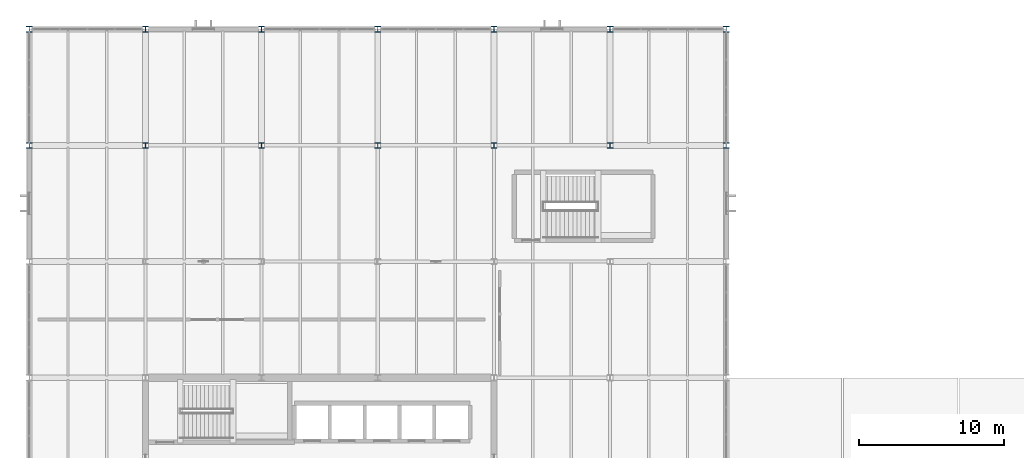
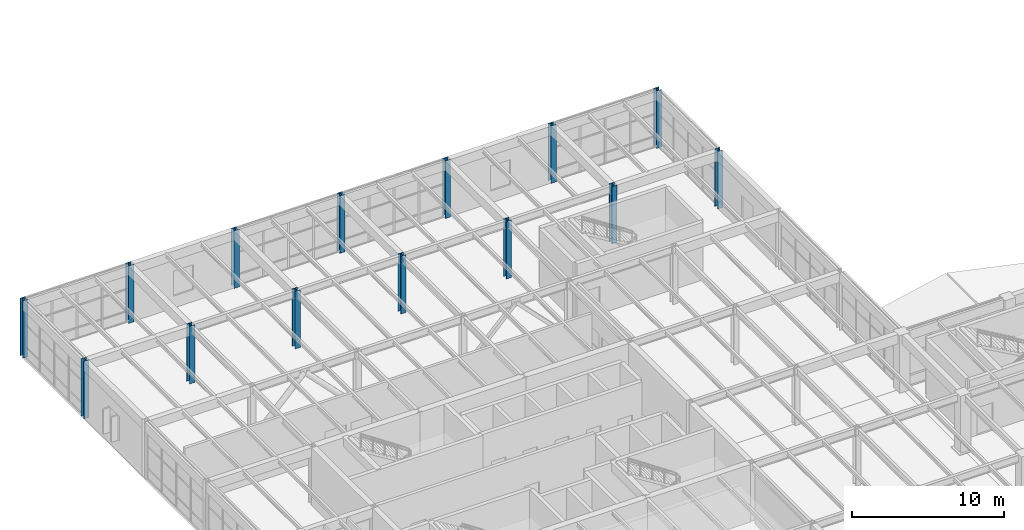
# One storey, part 5 of 60: 14 columns.
"""IFC4 building model written with IfcOpenShell, lengths in metres."""

import ifcopenshell
import ifcopenshell.guid

model = None  # the IFC model being written
_history = None  # IfcOwnerHistory: only IFC2X3 demands one
_inside = {}  # id of a spatial element -> (the spatial element, [elements in it])
_under = {}  # id of a project, library or spatial element -> (it, [spatial elements below it])
_declared = {}  # id of a project -> (the project, [libraries it declares])
_typed = {}  # id of a type object -> (the type object, [elements of that type])
_made_of = {}  # id of a material, layer set ... -> (it, [elements and type objects made of it])


def new_model(schema):
    """Start an empty IFC model of exactly this schema.

    Asked for "IFC4X3", IfcOpenShell would pick the latest addendum, in which some entities
    have other attributes; the version numbers below select the first issue.
    IFC2X3 requires an IfcOwnerHistory on every rooted entity: one is made here for all.
    """
    global model, _history
    if schema == "IFC4X3":
        model = ifcopenshell.file(schema_version=(4, 3, 0, 0))
    else:
        model = ifcopenshell.file(schema=schema)
    _inside.clear()
    _under.clear()
    _declared.clear()
    _typed.clear()
    _made_of.clear()
    _history = None
    if model.schema == "IFC2X3":
        org = make("IfcOrganization", Name="unknown")
        user = make(
            "IfcPersonAndOrganization",
            ThePerson=make("IfcPerson", FamilyName="unknown"),
            TheOrganization=org,
        )
        app = make(
            "IfcApplication",
            ApplicationDeveloper=org,
            Version="unknown",
            ApplicationFullName="unknown",
            ApplicationIdentifier="unknown",
        )
        _history = make(
            "IfcOwnerHistory",
            OwningUser=user,
            OwningApplication=app,
            ChangeAction="ADDED",
            CreationDate=0,
        )
    return model


def make(cls, **values):
    """One entity of the class cls with the attributes given. An attribute that is None is left unset."""
    return model.create_entity(
        cls, **{name: value for name, value in values.items() if value is not None}
    )


def rooted(cls, **values):
    """An entity with a GlobalId (a new one), such as an element, a storey or a relation."""
    return make(cls, GlobalId=ifcopenshell.guid.new(), OwnerHistory=_history, **values)


def si_unit(unit_type, name, prefix=None):
    """IfcSIUnit, for example si_unit("LENGTHUNIT", "METRE", prefix="MILLI")."""
    return make("IfcSIUnit", UnitType=unit_type, Prefix=prefix, Name=name)


def assignment(units):
    """IfcUnitAssignment: the units of a project."""
    return None if units is None else make("IfcUnitAssignment", Units=units)


def point(xyz):
    """IfcCartesianPoint."""
    return None if xyz is None else make("IfcCartesianPoint", Coordinates=xyz)


def direction(xyz):
    """IfcDirection."""
    return None if xyz is None else make("IfcDirection", DirectionRatios=xyz)


def frame(location, z_axis=None, x_axis=None):
    """IfcAxis2Placement3D, a coordinate frame: its origin and axes. An axis left out is left unset."""
    return make(
        "IfcAxis2Placement3D",
        Location=point(location),
        Axis=direction(z_axis),
        RefDirection=direction(x_axis),
    )


def frame_2d(location, x_axis=None):
    """IfcAxis2Placement2D, a coordinate frame in the plane: its origin and x axis."""
    return make(
        "IfcAxis2Placement2D", Location=point(location), RefDirection=direction(x_axis)
    )


def origin():
    """The frame at (0, 0, 0) with its axes left unset."""
    return frame((0.0, 0.0, 0.0))


def origin_2d():
    """The frame at (0, 0) in the plane with its x axis left unset."""
    return frame_2d((0.0, 0.0))


def place(relative_to, where):
    """IfcLocalPlacement: puts the frame where relative to a parent placement (None: the world)."""
    return make(
        "IfcLocalPlacement", PlacementRelTo=relative_to, RelativePlacement=where
    )


def context(
    kind, dimensions, precision=None, world=None, true_north=None, identifier=None
):
    """IfcGeometricRepresentationContext, for example the 3D "Model" context."""
    return make(
        "IfcGeometricRepresentationContext",
        ContextIdentifier=identifier,
        ContextType=kind,
        CoordinateSpaceDimension=dimensions,
        Precision=precision,
        WorldCoordinateSystem=world,
        TrueNorth=true_north,
    )


def subcontext(parent, identifier, kind, view, scale=None):
    """IfcGeometricRepresentationSubContext, for example "Body" below "Model"."""
    return make(
        "IfcGeometricRepresentationSubContext",
        ContextIdentifier=identifier,
        ContextType=kind,
        ParentContext=parent,
        TargetScale=scale,
        TargetView=view,
    )


def project(units=None, contexts=None):
    """IfcProject with its units and contexts."""
    return rooted(
        "IfcProject",
        Name="project",
        RepresentationContexts=contexts,
        UnitsInContext=assignment(units),
    )


def spatial(cls, under=None, at=None, **own):
    """A site, building, storey or space (cls), placed at a placement, below another one or the project."""
    s = rooted(cls, ObjectPlacement=at, **own)
    if under is not None:
        _under.setdefault(under.id(), (under, []))[1].append(s)
    return s


def profile(cls, at=None, kind="AREA", **sizes):
    """A parametric profile (cls). Its sizes go by their IFC names, for example OverallWidth=200.0."""
    return make(cls, ProfileType=kind, Position=at, **sizes)


def i_section(**sizes):
    """IfcIShapeProfileDef."""
    return profile("IfcIShapeProfileDef", **sizes)


def extrude(swept, where, along, depth):
    """IfcExtrudedAreaSolid: the profile swept, set in the frame where, extruded along a direction by depth."""
    return make(
        "IfcExtrudedAreaSolid",
        SweptArea=swept,
        Position=where,
        ExtrudedDirection=direction(along),
        Depth=depth,
    )


def shape(context_of_items, identifier, shape_type, items):
    """IfcShapeRepresentation: the items that make up one representation, for example the "Body"."""
    return make(
        "IfcShapeRepresentation",
        ContextOfItems=context_of_items,
        RepresentationIdentifier=identifier,
        RepresentationType=shape_type,
        Items=items,
    )


def material(Name=None, Category=None):
    """IfcMaterial."""
    return make("IfcMaterial", Name=Name, Category=Category)


def material_profile(
    of_material, cross_section, Name=None, Category=None, Priority=None
):
    """IfcMaterialProfile: a cross section and its material."""
    return make(
        "IfcMaterialProfile",
        Name=Name,
        Material=of_material,
        Profile=cross_section,
        Priority=Priority,
        Category=Category,
    )


def profile_set(profiles, Name=None, composite=None):
    """IfcMaterialProfileSet."""
    return make(
        "IfcMaterialProfileSet",
        Name=Name,
        MaterialProfiles=profiles,
        CompositeProfile=composite,
    )


def made_of(thing, what):
    """Note that an element or type object is made of a material, layer set ...; save() writes the relation."""
    if what is not None:
        _made_of.setdefault(what.id(), (what, []))[1].append(thing)
    return thing


def type_object(cls, material=None, **own):
    """A type object (cls), such as IfcWallType, which elements share."""
    return made_of(rooted(cls, **own), material)


def element(
    cls,
    number,
    at=None,
    inside=None,
    cuts=None,
    type_object=None,
    material=None,
    context=None,
    identifier="Body",
    shape_type=None,
    held_by="IfcProductDefinitionShape",
    body=None,
    shapes=None,
    **own,
):
    """One element of the class cls, such as IfcWall. Its Tag is "e" and its number.

    at: its placement. inside: the storey or other place that contains it. cuts: it is an
    opening in that element (IfcRelVoidsElement). A single representation is given by context,
    identifier, shape_type and body (its items); several are given by shapes. held_by: the class
    of the entity that holds the representations. save() writes the other relations.
    """
    e = rooted(cls, Tag="e%d" % number, ObjectPlacement=at, **own)
    if body is not None:
        shapes = [shape(context, identifier, shape_type, body)]
    if shapes is not None:
        e.Representation = make(held_by, Representations=shapes)
    if inside is not None:
        _inside.setdefault(inside.id(), (inside, []))[1].append(e)
    if cuts is not None:
        rooted(
            "IfcRelVoidsElement", RelatingBuildingElement=cuts, RelatedOpeningElement=e
        )
    if type_object is not None:
        _typed.setdefault(type_object.id(), (type_object, []))[1].append(e)
    return made_of(e, material)


def aggregate(whole, parts):
    """IfcRelAggregates: a whole, such as a stair, and the parts it consists of."""
    return rooted("IfcRelAggregates", RelatingObject=whole, RelatedObjects=parts)


def save(model, path):
    """Write the relations noted so far, then the file.

    IfcRelAggregates (storeys below a building ...), IfcRelContainedInSpatialStructure (elements
    in a storey), IfcRelDefinesByType, IfcRelAssociatesMaterial and IfcRelDeclares: one each for
    every whole, place, type object, material and project.
    """
    for whole, parts in _under.values():
        aggregate(whole, parts)
    for where, things in _inside.values():
        rooted(
            "IfcRelContainedInSpatialStructure",
            RelatedElements=things,
            RelatingStructure=where,
        )
    for kind, things in _typed.values():
        rooted("IfcRelDefinesByType", RelatedObjects=things, RelatingType=kind)
    for what, things in _made_of.values():
        rooted("IfcRelAssociatesMaterial", RelatedObjects=things, RelatingMaterial=what)
    for by, libraries in _declared.values():
        rooted("IfcRelDeclares", RelatingContext=by, RelatedDefinitions=libraries)
    model.write(path)


model = new_model("IFC4")

# Units and contexts
model_context = context("Model", 3, precision=1e-05, world=origin(), true_north=direction((0.0, 1.0)))
body_context = subcontext(model_context, "Body", "Model", "MODEL_VIEW")
ifc_project = project(units=[si_unit("LENGTHUNIT", "METRE"), si_unit("AREAUNIT", "SQUARE_METRE"), si_unit("VOLUMEUNIT", "CUBIC_METRE"), si_unit("PLANEANGLEUNIT", "RADIAN"), si_unit("MASSUNIT", "GRAM", prefix="KILO")], contexts=[model_context])

# Site, building, storey
site_placement = place(None, origin())
site = spatial("IfcSite", under=ifc_project, at=site_placement, CompositionType="ELEMENT")
building_placement = place(site_placement, origin())
building = spatial("IfcBuilding", under=site, at=building_placement, Name="Varnela Railside Interchange", CompositionType="ELEMENT")
storey_placement = place(building_placement, frame((0.0, 0.0, 6.300048828125)))
storey = spatial("IfcBuildingStorey", under=building, at=storey_placement, Name="L01", CompositionType="ELEMENT", Elevation=6.300048828125)

# Columns
ifc_material = material(Name="Steel AR 350 (350 MPa)", Category="steel")
ifc_material_profile = material_profile(ifc_material, i_section(OverallWidth=0.39794921875, OverallDepth=0.386962890625, WebThickness=0.02099609375, FlangeThickness=0.033203125, at=origin_2d()), Name="W360x262")
ifc_profile_set = profile_set([ifc_material_profile], Name="Steel AR 350 (350 MPa)")
column_type = type_object("IfcColumnType", Name="Superstructure Steel Col C-16", PredefinedType="COLUMN", material=ifc_profile_set)
for number, where, z_axis, x_axis, name in (
    (1, (4.0, 86.0, 0.0), (0.0, 0.0, 1.0), (1.0, 0.0, 0.0), "Column C-16 (L01) (CL-0639)"),
    (2, (4.0, 94.0, 0.0), (0.0, 0.0, 1.0), (1.0, 0.0, 0.0), "Column C-16 (L01) (CL-0640)"),
    (3, (12.0, 86.0, 0.0), (0.0, 0.0, 1.0), (1.0, 0.0, 0.0), "Column C-16 (L01) (CL-0655)"),
    (4, (12.0, 94.0, 0.0), (0.0, 0.0, 1.0), (1.0, 0.0, 0.0), "Column C-16 (L01) (CL-0656)"),
    (5, (20.0, 86.0, 0.0), (0.0, 0.0, 1.0), (1.0, 0.0, 0.0), "Column C-16 (L01) (CL-0662)"),
    (6, (20.0, 94.0, 0.0), (0.0, 0.0, 1.0), (1.0, 0.0, 0.0), "Column C-16 (L01) (CL-0663)"),
    (7, (28.0, 86.0, 0.0), (0.0, 0.0, 1.0), (1.0, 0.0, 0.0), "Column C-16 (L01) (CL-0669)"),
    (8, (28.0, 94.0, 0.0), (0.0, 0.0, 1.0), (1.0, 0.0, 0.0), "Column C-16 (L01) (CL-0670)"),
    (9, (36.0, 86.0, 0.0), (0.0, 0.0, 1.0), (1.0, 0.0, 0.0), "Column C-16 (L01) (CL-0678)"),
    (10, (36.0, 94.0, 0.0), (0.0, 0.0, 1.0), (1.0, 0.0, 0.0), "Column C-16 (L01) (CL-0679)"),
    (11, (44.0, 86.0, 0.0), (0.0, 0.0, 1.0), (1.0, 0.0, 0.0), "Column C-16 (L01) (CL-0687)"),
    (12, (44.0, 94.0, 0.0), (0.0, 0.0, 1.0), (1.0, 0.0, 0.0), "Column C-16 (L01) (CL-0688)"),
    (13, (52.0, 86.0, 0.0), (0.0, 0.0, 1.0), (1.0, 0.0, 0.0), "Column C-16 (L01) (CL-0696)"),
    (14, (52.0, 94.0, 0.0), (0.0, 0.0, 1.0), (1.0, 0.0, 0.0), "Column C-16 (L01) (CL-0697)"),
):
    element("IfcColumn", number, at=place(storey_placement, frame(where, z_axis=z_axis, x_axis=x_axis)), inside=storey, type_object=column_type, Name=name, PredefinedType="COLUMN", context=body_context, shape_type="SweptSolid", body=[
        extrude(i_section(OverallWidth=0.39794921875, OverallDepth=0.386962890625, WebThickness=0.02099609375, FlangeThickness=0.033203125, at=origin_2d()), origin(), (0.0, 0.0, 1.0), 4.599853515625),
    ])

save(model, "model.ifc")
